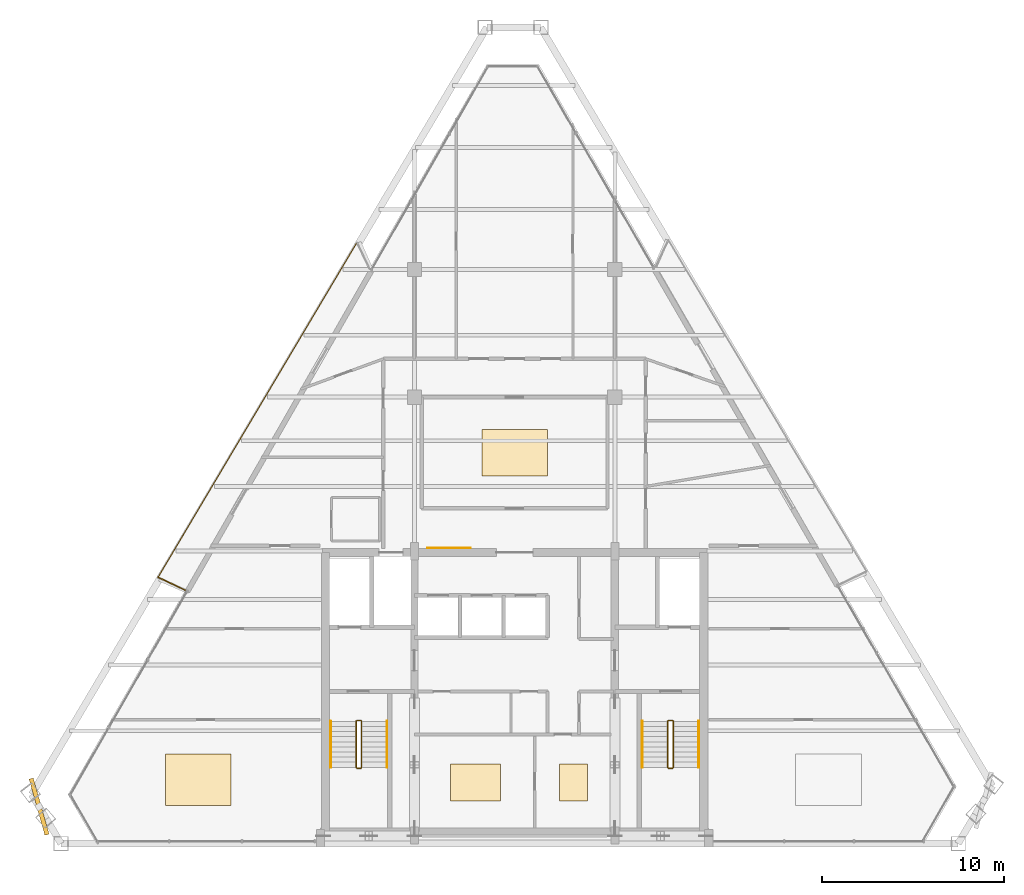
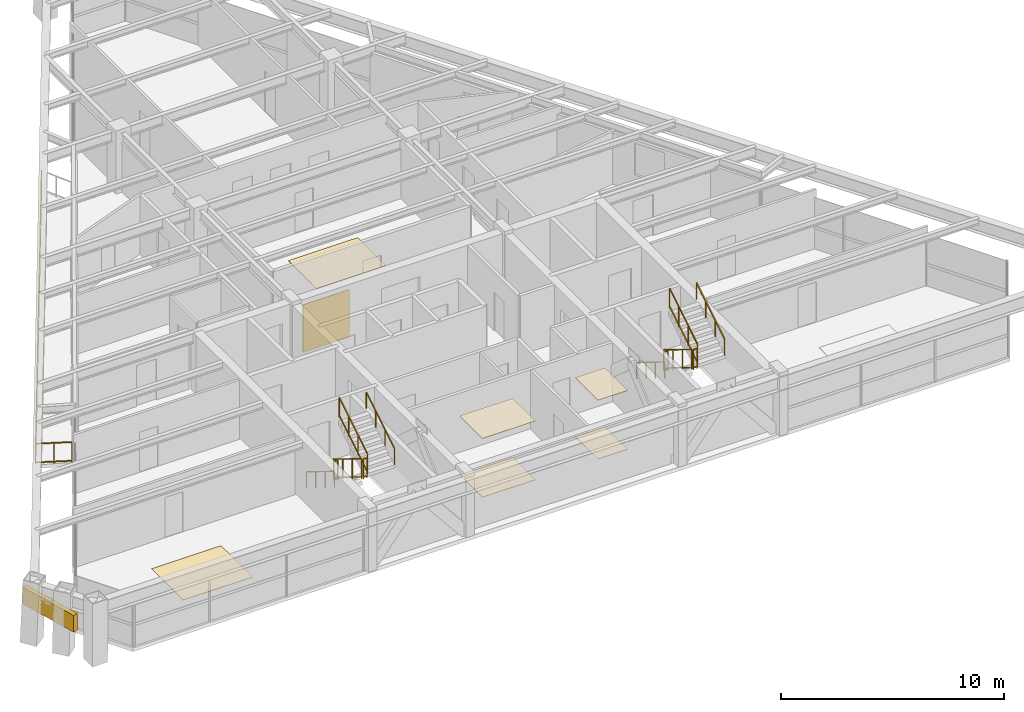
# One storey, part 12 of 13: 14 railings, 7 coverings, 1 shading device.
"""IFC4 building model written with IfcOpenShell, lengths in metres."""

from ifc_helpers import new_model, si_unit, direction, frame, origin, origin_2d, place, context, subcontext, project, spatial, rectangle, extrude, source, transform, mapped, material, layer, layer_set, type_object, type_shapes, element, save


model = new_model("IFC4")

# Units and contexts
model_context = context("Model", 3, precision=1e-05, world=origin(), true_north=direction((0.0, 1.0)))
body_context = subcontext(model_context, "Body", "Model", "MODEL_VIEW")
ifc_project = project(units=[si_unit("LENGTHUNIT", "METRE"), si_unit("AREAUNIT", "SQUARE_METRE"), si_unit("VOLUMEUNIT", "CUBIC_METRE"), si_unit("PLANEANGLEUNIT", "RADIAN"), si_unit("MASSUNIT", "GRAM", prefix="KILO")], contexts=[model_context])

# Site, building, storey
site_placement = place(None, origin())
site = spatial("IfcSite", under=ifc_project, at=site_placement, CompositionType="ELEMENT")
building_placement = place(site_placement, origin())
building = spatial("IfcBuilding", under=site, at=building_placement, Name="Varnakhor Terracotta Tower", CompositionType="ELEMENT")
storey_placement = place(building_placement, frame((0.0, 0.0, 293.699951171875)))
storey = spatial("IfcBuildingStorey", under=building, at=storey_placement, Name="L77", CompositionType="ELEMENT", Elevation=293.699951171875)

# Railings
ifc_material_1 = material(Name="Stainless Steel & Laminated Glass Guardrail", Category="steel")
railing_type_1 = type_object("IfcRailingType", Name="RLG-LOGGIA-GUARD-1150", PredefinedType="GUARDRAIL", material=ifc_material_1)
railing_1_placement = place(storey_placement, frame((-18.076171875, 13.906982421875, 0.0)))
element("IfcRailing", 1, at=railing_1_placement, inside=storey, type_object=railing_type_1, Name="L77 W Loggia Glass Guard 1", PredefinedType="GUARDRAIL", context=body_context, shape_type="SweptSolid", body=[
    extrude(rectangle(XDim=0.048095703125, YDim=0.048095703125, at=origin_2d()), frame((0.0, 0.0, 1.1259765625), z_axis=(-0.902616948427, 0.430444705406, 0.0), x_axis=(-0.430444705406, -0.902616948427, 0.0)), (0.0, 0.0, 1.0), 1.64990234375),
    extrude(rectangle(XDim=0.048095703125, YDim=0.048095703125, at=origin_2d()), frame((0.0, 0.0, 0.10009765625), z_axis=(-0.902616948427, 0.430444705406, 0.0), x_axis=(-0.430444705406, -0.902616948427, 0.0)), (0.0, 0.0, 1.0), 1.64990234375),
    extrude(rectangle(XDim=0.0419921875, YDim=0.0419921875, at=origin_2d()), origin(), (0.0, 0.0, 1.0), 1.101806640625),
    extrude(rectangle(XDim=0.0419921875, YDim=0.0419921875, at=origin_2d()), frame((-0.74462890625, 0.35498046875, 0.0)), (0.0, 0.0, 1.0), 1.101806640625),
    extrude(rectangle(XDim=0.0419921875, YDim=0.0419921875, at=origin_2d()), frame((-1.4892578125, 0.710205078125, 0.0)), (0.0, 0.0, 1.0), 1.101806640625),
])
railing_2_placement = place(storey_placement, frame((-19.5654296875, 14.6171875, 0.0)))
element("IfcRailing", 2, at=railing_2_placement, inside=storey, type_object=railing_type_1, Name="L77 W Loggia Glass Guard 2", PredefinedType="GUARDRAIL", context=body_context, shape_type="SweptSolid", body=[
    extrude(rectangle(XDim=0.048095703125, YDim=0.048095703125, at=origin_2d()), frame((0.0, 0.0, 1.1259765625), z_axis=(0.510696107168, 0.859761296014, 0.0), x_axis=(-0.859761296014, 0.510696107168, 0.0)), (0.0, 0.0, 1.0), 21.3642578125),
    extrude(rectangle(XDim=0.048095703125, YDim=0.048095703125, at=origin_2d()), frame((0.0, 0.0, 0.10009765625), z_axis=(0.510696107168, 0.859761296014, 0.0), x_axis=(-0.859761296014, 0.510696107168, 0.0)), (0.0, 0.0, 1.0), 21.3642578125),
    extrude(rectangle(XDim=0.0419921875, YDim=0.0419921875, at=origin_2d()), origin(), (0.0, 0.0, 1.0), 1.101806640625),
    extrude(rectangle(XDim=0.0419921875, YDim=0.0419921875, at=origin_2d()), frame((0.681884765625, 1.14794921875, 0.0)), (0.0, 0.0, 1.0), 1.101806640625),
    extrude(rectangle(XDim=0.0419921875, YDim=0.0419921875, at=origin_2d()), frame((1.36376953125, 2.2958984375, 0.0)), (0.0, 0.0, 1.0), 1.101806640625),
    extrude(rectangle(XDim=0.0419921875, YDim=0.0419921875, at=origin_2d()), frame((2.045654296875, 3.444091796875, 0.0)), (0.0, 0.0, 1.0), 1.101806640625),
    extrude(rectangle(XDim=0.0419921875, YDim=0.0419921875, at=origin_2d()), frame((2.7275390625, 4.592041015625, 0.0)), (0.0, 0.0, 1.0), 1.101806640625),
    extrude(rectangle(XDim=0.0419921875, YDim=0.0419921875, at=origin_2d()), frame((3.40966796875, 5.739990234375, 0.0)), (0.0, 0.0, 1.0), 1.101806640625),
    extrude(rectangle(XDim=0.0419921875, YDim=0.0419921875, at=origin_2d()), frame((4.091552734375, 6.88818359375, 0.0)), (0.0, 0.0, 1.0), 1.101806640625),
    extrude(rectangle(XDim=0.0419921875, YDim=0.0419921875, at=origin_2d()), frame((4.7734375, 8.0361328125, 0.0)), (0.0, 0.0, 1.0), 1.101806640625),
    extrude(rectangle(XDim=0.0419921875, YDim=0.0419921875, at=origin_2d()), frame((5.455322265625, 9.18408203125, 0.0)), (0.0, 0.0, 1.0), 1.101806640625),
    extrude(rectangle(XDim=0.0419921875, YDim=0.0419921875, at=origin_2d()), frame((6.13720703125, 10.33203125, 0.0)), (0.0, 0.0, 1.0), 1.101806640625),
    extrude(rectangle(XDim=0.0419921875, YDim=0.0419921875, at=origin_2d()), frame((6.819091796875, 11.47998046875, 0.0)), (0.0, 0.0, 1.0), 1.101806640625),
    extrude(rectangle(XDim=0.0419921875, YDim=0.0419921875, at=origin_2d()), frame((7.5009765625, 12.628173828125, 0.0)), (0.0, 0.0, 1.0), 1.101806640625),
    extrude(rectangle(XDim=0.0419921875, YDim=0.0419921875, at=origin_2d()), frame((8.18310546875, 13.776123046875, 0.0)), (0.0, 0.0, 1.0), 1.101806640625),
    extrude(rectangle(XDim=0.0419921875, YDim=0.0419921875, at=origin_2d()), frame((8.864990234375, 14.924072265625, 0.0)), (0.0, 0.0, 1.0), 1.101806640625),
    extrude(rectangle(XDim=0.0419921875, YDim=0.0419921875, at=origin_2d()), frame((9.546875, 16.072265625, 0.0)), (0.0, 0.0, 1.0), 1.101806640625),
    extrude(rectangle(XDim=0.0419921875, YDim=0.0419921875, at=origin_2d()), frame((10.228759765625, 17.22021484375, 0.0)), (0.0, 0.0, 1.0), 1.101806640625),
    extrude(rectangle(XDim=0.0419921875, YDim=0.0419921875, at=origin_2d()), frame((10.91064453125, 18.3681640625, 0.0)), (0.0, 0.0, 1.0), 1.101806640625),
])
ifc_material_2 = material(Name="Painted Steel Stairwell Guardrail", Category="steel")
railing_type_2 = type_object("IfcRailingType", Name="RLG-STAIR-GUARD-1120", PredefinedType="GUARDRAIL", material=ifc_material_2)
railing_3_placement = place(storey_placement, frame((-8.699951171875, 6.7099609375, 0.172607421875)))
element("IfcRailing", 3, at=railing_3_placement, inside=storey, type_object=railing_type_2, Name="L77 ST-1 stair guard 1", PredefinedType="GUARDRAIL", context=body_context, shape_type="SweptSolid", body=[
    extrude(rectangle(XDim=0.048095703125, YDim=0.048095703125, at=origin_2d()), frame((0.0, 0.0, 1.09619140625), z_axis=(0.0, -0.851400495292, 0.524516154772), x_axis=(1.0, 0.0, 0.0)), (0.0, 0.0, 1.0), 2.9599609375),
    extrude(rectangle(XDim=0.048095703125, YDim=0.048095703125, at=origin_2d()), frame((0.0, 0.0, 0.10009765625), z_axis=(0.0, -0.851400495292, 0.524516154772), x_axis=(1.0, 0.0, 0.0)), (0.0, 0.0, 1.0), 2.9599609375),
    extrude(rectangle(XDim=0.0419921875, YDim=0.0419921875, at=origin_2d()), origin(), (0.0, 0.0, 1.0), 1.072021484375),
    extrude(rectangle(XDim=0.0419921875, YDim=0.0419921875, at=origin_2d()), frame((0.0, -0.840087890625, 0.517578125)), (0.0, 0.0, 1.0), 1.072021484375),
    extrude(rectangle(XDim=0.0419921875, YDim=0.0419921875, at=origin_2d()), frame((0.0, -1.679931640625, 1.034912109375)), (0.0, 0.0, 1.0), 1.072021484375),
    extrude(rectangle(XDim=0.0419921875, YDim=0.0419921875, at=origin_2d()), frame((0.0, -2.52001953125, 1.552490234375)), (0.0, 0.0, 1.0), 1.072021484375),
])
railing_4_placement = place(storey_placement, frame((-8.64990234375, 4.139892578125, 1.72509765625)))
element("IfcRailing", 4, at=railing_4_placement, inside=storey, type_object=railing_type_2, Name="L77 ST-1 stair guard 2", PredefinedType="GUARDRAIL", context=body_context, shape_type="SweptSolid", body=[
    extrude(rectangle(XDim=0.048095703125, YDim=0.048095703125, at=origin_2d()), frame((0.0, 0.0, 1.09619140625), z_axis=(1.0, 0.0, 0.0), x_axis=(0.0, 1.0, 0.0)), (0.0, 0.0, 1.0), 0.199951171875),
    extrude(rectangle(XDim=0.048095703125, YDim=0.048095703125, at=origin_2d()), frame((0.0, 0.0, 0.10009765625), z_axis=(1.0, 0.0, 0.0), x_axis=(0.0, 1.0, 0.0)), (0.0, 0.0, 1.0), 0.199951171875),
    extrude(rectangle(XDim=0.0419921875, YDim=0.0419921875, at=origin_2d()), origin(), (0.0, 0.0, 1.0), 1.072021484375),
    extrude(rectangle(XDim=0.0419921875, YDim=0.0419921875, at=origin_2d()), frame((0.199951171875, 0.0, 0.0)), (0.0, 0.0, 1.0), 1.072021484375),
])
railing_5_placement = place(storey_placement, frame((-8.39990234375, 4.18994140625, 1.8974609375)))
element("IfcRailing", 5, at=railing_5_placement, inside=storey, type_object=railing_type_2, Name="L77 ST-1 stair guard 3", PredefinedType="GUARDRAIL", context=body_context, shape_type="SweptSolid", body=[
    extrude(rectangle(XDim=0.048095703125, YDim=0.048095703125, at=origin_2d()), frame((0.0, 0.0, 1.09619140625), z_axis=(0.0, 0.851400495292, 0.524516154772), x_axis=(-1.0, 0.0, 0.0)), (0.0, 0.0, 1.0), 2.9599609375),
    extrude(rectangle(XDim=0.048095703125, YDim=0.048095703125, at=origin_2d()), frame((0.0, 0.0, 0.10009765625), z_axis=(0.0, 0.851400495292, 0.524516154772), x_axis=(-1.0, 0.0, 0.0)), (0.0, 0.0, 1.0), 2.9599609375),
    extrude(rectangle(XDim=0.0419921875, YDim=0.0419921875, at=origin_2d()), origin(), (0.0, 0.0, 1.0), 1.072021484375),
    extrude(rectangle(XDim=0.0419921875, YDim=0.0419921875, at=origin_2d()), frame((0.0, 0.840087890625, 0.517578125)), (0.0, 0.0, 1.0), 1.072021484375),
    extrude(rectangle(XDim=0.0419921875, YDim=0.0419921875, at=origin_2d()), frame((0.0, 1.679931640625, 1.034912109375)), (0.0, 0.0, 1.0), 1.072021484375),
    extrude(rectangle(XDim=0.0419921875, YDim=0.0419921875, at=origin_2d()), frame((0.0, 2.52001953125, 1.552490234375)), (0.0, 0.0, 1.0), 1.072021484375),
])
railing_6_placement = place(storey_placement, frame((-8.64990234375, 6.760009765625, 0.0)))
element("IfcRailing", 6, at=railing_6_placement, inside=storey, type_object=railing_type_2, Name="L77 ST-1 stair guard 4", PredefinedType="GUARDRAIL", context=body_context, shape_type="SweptSolid", body=[
    extrude(rectangle(XDim=0.048095703125, YDim=0.048095703125, at=origin_2d()), frame((0.0, 0.0, 1.09619140625), z_axis=(1.0, 0.0, 0.0), x_axis=(0.0, 1.0, 0.0)), (0.0, 0.0, 1.0), 0.199951171875),
    extrude(rectangle(XDim=0.048095703125, YDim=0.048095703125, at=origin_2d()), frame((0.0, 0.0, 0.10009765625), z_axis=(1.0, 0.0, 0.0), x_axis=(0.0, 1.0, 0.0)), (0.0, 0.0, 1.0), 0.199951171875),
    extrude(rectangle(XDim=0.0419921875, YDim=0.0419921875, at=origin_2d()), origin(), (0.0, 0.0, 1.0), 1.072021484375),
    extrude(rectangle(XDim=0.0419921875, YDim=0.0419921875, at=origin_2d()), frame((0.199951171875, 0.0, 0.0)), (0.0, 0.0, 1.0), 1.072021484375),
])
railing_7_placement = place(storey_placement, frame((8.39990234375, 6.7099609375, 0.172607421875)))
element("IfcRailing", 7, at=railing_7_placement, inside=storey, type_object=railing_type_2, Name="L77 ST-2 stair guard 1", PredefinedType="GUARDRAIL", context=body_context, shape_type="SweptSolid", body=[
    extrude(rectangle(XDim=0.048095703125, YDim=0.048095703125, at=origin_2d()), frame((0.0, 0.0, 1.09619140625), z_axis=(0.0, -0.851400495292, 0.524516154772), x_axis=(1.0, 0.0, 0.0)), (0.0, 0.0, 1.0), 2.9599609375),
    extrude(rectangle(XDim=0.048095703125, YDim=0.048095703125, at=origin_2d()), frame((0.0, 0.0, 0.10009765625), z_axis=(0.0, -0.851400495292, 0.524516154772), x_axis=(1.0, 0.0, 0.0)), (0.0, 0.0, 1.0), 2.9599609375),
    extrude(rectangle(XDim=0.0419921875, YDim=0.0419921875, at=origin_2d()), origin(), (0.0, 0.0, 1.0), 1.072021484375),
    extrude(rectangle(XDim=0.0419921875, YDim=0.0419921875, at=origin_2d()), frame((0.0, -0.840087890625, 0.517578125)), (0.0, 0.0, 1.0), 1.072021484375),
    extrude(rectangle(XDim=0.0419921875, YDim=0.0419921875, at=origin_2d()), frame((0.0, -1.679931640625, 1.034912109375)), (0.0, 0.0, 1.0), 1.072021484375),
    extrude(rectangle(XDim=0.0419921875, YDim=0.0419921875, at=origin_2d()), frame((0.0, -2.52001953125, 1.552490234375)), (0.0, 0.0, 1.0), 1.072021484375),
])
railing_8_placement = place(storey_placement, frame((8.449951171875, 4.139892578125, 1.72509765625)))
element("IfcRailing", 8, at=railing_8_placement, inside=storey, type_object=railing_type_2, Name="L77 ST-2 stair guard 2", PredefinedType="GUARDRAIL", context=body_context, shape_type="SweptSolid", body=[
    extrude(rectangle(XDim=0.048095703125, YDim=0.048095703125, at=origin_2d()), frame((0.0, 0.0, 1.09619140625), z_axis=(1.0, 0.0, 0.0), x_axis=(0.0, 1.0, 0.0)), (0.0, 0.0, 1.0), 0.199951171875),
    extrude(rectangle(XDim=0.048095703125, YDim=0.048095703125, at=origin_2d()), frame((0.0, 0.0, 0.10009765625), z_axis=(1.0, 0.0, 0.0), x_axis=(0.0, 1.0, 0.0)), (0.0, 0.0, 1.0), 0.199951171875),
    extrude(rectangle(XDim=0.0419921875, YDim=0.0419921875, at=origin_2d()), origin(), (0.0, 0.0, 1.0), 1.072021484375),
    extrude(rectangle(XDim=0.0419921875, YDim=0.0419921875, at=origin_2d()), frame((0.199951171875, 0.0, 0.0)), (0.0, 0.0, 1.0), 1.072021484375),
])
railing_9_placement = place(storey_placement, frame((8.699951171875, 4.18994140625, 1.8974609375)))
element("IfcRailing", 9, at=railing_9_placement, inside=storey, type_object=railing_type_2, Name="L77 ST-2 stair guard 3", PredefinedType="GUARDRAIL", context=body_context, shape_type="SweptSolid", body=[
    extrude(rectangle(XDim=0.048095703125, YDim=0.048095703125, at=origin_2d()), frame((0.0, 0.0, 1.09619140625), z_axis=(0.0, 0.851400495292, 0.524516154772), x_axis=(-1.0, 0.0, 0.0)), (0.0, 0.0, 1.0), 2.9599609375),
    extrude(rectangle(XDim=0.048095703125, YDim=0.048095703125, at=origin_2d()), frame((0.0, 0.0, 0.10009765625), z_axis=(0.0, 0.851400495292, 0.524516154772), x_axis=(-1.0, 0.0, 0.0)), (0.0, 0.0, 1.0), 2.9599609375),
    extrude(rectangle(XDim=0.0419921875, YDim=0.0419921875, at=origin_2d()), origin(), (0.0, 0.0, 1.0), 1.072021484375),
    extrude(rectangle(XDim=0.0419921875, YDim=0.0419921875, at=origin_2d()), frame((0.0, 0.840087890625, 0.517578125)), (0.0, 0.0, 1.0), 1.072021484375),
    extrude(rectangle(XDim=0.0419921875, YDim=0.0419921875, at=origin_2d()), frame((0.0, 1.679931640625, 1.034912109375)), (0.0, 0.0, 1.0), 1.072021484375),
    extrude(rectangle(XDim=0.0419921875, YDim=0.0419921875, at=origin_2d()), frame((0.0, 2.52001953125, 1.552490234375)), (0.0, 0.0, 1.0), 1.072021484375),
])
railing_10_placement = place(storey_placement, frame((8.449951171875, 6.760009765625, 0.0)))
element("IfcRailing", 10, at=railing_10_placement, inside=storey, type_object=railing_type_2, Name="L77 ST-2 stair guard 4", PredefinedType="GUARDRAIL", context=body_context, shape_type="SweptSolid", body=[
    extrude(rectangle(XDim=0.048095703125, YDim=0.048095703125, at=origin_2d()), frame((0.0, 0.0, 1.09619140625), z_axis=(1.0, 0.0, 0.0), x_axis=(0.0, 1.0, 0.0)), (0.0, 0.0, 1.0), 0.199951171875),
    extrude(rectangle(XDim=0.048095703125, YDim=0.048095703125, at=origin_2d()), frame((0.0, 0.0, 0.10009765625), z_axis=(1.0, 0.0, 0.0), x_axis=(0.0, 1.0, 0.0)), (0.0, 0.0, 1.0), 0.199951171875),
    extrude(rectangle(XDim=0.0419921875, YDim=0.0419921875, at=origin_2d()), origin(), (0.0, 0.0, 1.0), 1.072021484375),
    extrude(rectangle(XDim=0.0419921875, YDim=0.0419921875, at=origin_2d()), frame((0.199951171875, 0.0, 0.0)), (0.0, 0.0, 1.0), 1.072021484375),
])
ifc_material_3 = material(Name="Brushed Stainless Steel Handrail", Category="steel")
railing_type_3 = type_object("IfcRailingType", Name="RLG-STAIR-HANDRAIL-920", PredefinedType="HANDRAIL", material=ifc_material_3)
railing_11_placement = place(storey_placement, frame((-10.10009765625, 6.7099609375, 0.172607421875)))
element("IfcRailing", 11, at=railing_11_placement, inside=storey, type_object=railing_type_3, Name="L77 ST-1 stair handrail 1", PredefinedType="HANDRAIL", context=body_context, shape_type="SweptSolid", body=[
    extrude(rectangle(XDim=0.048095703125, YDim=0.048095703125, at=origin_2d()), frame((0.0, 0.0, 0.89599609375), z_axis=(0.0, -0.851400495292, 0.524516154772), x_axis=(1.0, 0.0, 0.0)), (0.0, 0.0, 1.0), 2.9599609375),
    extrude(rectangle(XDim=0.0419921875, YDim=0.0419921875, at=origin_2d()), origin(), (0.0, 0.0, 1.0), 0.871826171875),
    extrude(rectangle(XDim=0.0419921875, YDim=0.0419921875, at=origin_2d()), frame((0.0, -0.840087890625, 0.517578125)), (0.0, 0.0, 1.0), 0.871826171875),
    extrude(rectangle(XDim=0.0419921875, YDim=0.0419921875, at=origin_2d()), frame((0.0, -1.679931640625, 1.034912109375)), (0.0, 0.0, 1.0), 0.871826171875),
    extrude(rectangle(XDim=0.0419921875, YDim=0.0419921875, at=origin_2d()), frame((0.0, -2.52001953125, 1.552490234375)), (0.0, 0.0, 1.0), 0.871826171875),
])
railing_12_placement = place(storey_placement, frame((-7.0, 4.18994140625, 1.8974609375)))
element("IfcRailing", 12, at=railing_12_placement, inside=storey, type_object=railing_type_3, Name="L77 ST-1 stair handrail 2", PredefinedType="HANDRAIL", context=body_context, shape_type="SweptSolid", body=[
    extrude(rectangle(XDim=0.048095703125, YDim=0.048095703125, at=origin_2d()), frame((0.0, 0.0, 0.89599609375), z_axis=(0.0, 0.851400495292, 0.524516154772), x_axis=(-1.0, 0.0, 0.0)), (0.0, 0.0, 1.0), 2.9599609375),
    extrude(rectangle(XDim=0.0419921875, YDim=0.0419921875, at=origin_2d()), origin(), (0.0, 0.0, 1.0), 0.871826171875),
    extrude(rectangle(XDim=0.0419921875, YDim=0.0419921875, at=origin_2d()), frame((0.0, 0.840087890625, 0.517578125)), (0.0, 0.0, 1.0), 0.871826171875),
    extrude(rectangle(XDim=0.0419921875, YDim=0.0419921875, at=origin_2d()), frame((0.0, 1.679931640625, 1.034912109375)), (0.0, 0.0, 1.0), 0.871826171875),
    extrude(rectangle(XDim=0.0419921875, YDim=0.0419921875, at=origin_2d()), frame((0.0, 2.52001953125, 1.552490234375)), (0.0, 0.0, 1.0), 0.871826171875),
])
railing_13_placement = place(storey_placement, frame((7.0, 6.7099609375, 0.172607421875)))
element("IfcRailing", 13, at=railing_13_placement, inside=storey, type_object=railing_type_3, Name="L77 ST-2 stair handrail 1", PredefinedType="HANDRAIL", context=body_context, shape_type="SweptSolid", body=[
    extrude(rectangle(XDim=0.048095703125, YDim=0.048095703125, at=origin_2d()), frame((0.0, 0.0, 0.89599609375), z_axis=(0.0, -0.851400495292, 0.524516154772), x_axis=(1.0, 0.0, 0.0)), (0.0, 0.0, 1.0), 2.9599609375),
    extrude(rectangle(XDim=0.0419921875, YDim=0.0419921875, at=origin_2d()), origin(), (0.0, 0.0, 1.0), 0.871826171875),
    extrude(rectangle(XDim=0.0419921875, YDim=0.0419921875, at=origin_2d()), frame((0.0, -0.840087890625, 0.517578125)), (0.0, 0.0, 1.0), 0.871826171875),
    extrude(rectangle(XDim=0.0419921875, YDim=0.0419921875, at=origin_2d()), frame((0.0, -1.679931640625, 1.034912109375)), (0.0, 0.0, 1.0), 0.871826171875),
    extrude(rectangle(XDim=0.0419921875, YDim=0.0419921875, at=origin_2d()), frame((0.0, -2.52001953125, 1.552490234375)), (0.0, 0.0, 1.0), 0.871826171875),
])
railing_14_placement = place(storey_placement, frame((10.10009765625, 4.18994140625, 1.8974609375)))
element("IfcRailing", 14, at=railing_14_placement, inside=storey, type_object=railing_type_3, Name="L77 ST-2 stair handrail 2", PredefinedType="HANDRAIL", context=body_context, shape_type="SweptSolid", body=[
    extrude(rectangle(XDim=0.048095703125, YDim=0.048095703125, at=origin_2d()), frame((0.0, 0.0, 0.89599609375), z_axis=(0.0, 0.851400495292, 0.524516154772), x_axis=(-1.0, 0.0, 0.0)), (0.0, 0.0, 1.0), 2.9599609375),
    extrude(rectangle(XDim=0.0419921875, YDim=0.0419921875, at=origin_2d()), origin(), (0.0, 0.0, 1.0), 0.871826171875),
    extrude(rectangle(XDim=0.0419921875, YDim=0.0419921875, at=origin_2d()), frame((0.0, 0.840087890625, 0.517578125)), (0.0, 0.0, 1.0), 0.871826171875),
    extrude(rectangle(XDim=0.0419921875, YDim=0.0419921875, at=origin_2d()), frame((0.0, 1.679931640625, 1.034912109375)), (0.0, 0.0, 1.0), 0.871826171875),
    extrude(rectangle(XDim=0.0419921875, YDim=0.0419921875, at=origin_2d()), frame((0.0, 2.52001953125, 1.552490234375)), (0.0, 0.0, 1.0), 0.871826171875),
])

# Shading device
ifc_material_4 = material(Name="Extruded Architectural Terracotta Screen", Category="masonry")
shading_device_type = type_object("IfcShadingDeviceType", Name="TERRACOTTA SOLAR SCREEN W", PredefinedType="USERDEFINED", material=ifc_material_4)
shared_shape_1 = source(origin(), body_context, "Body", "SweptSolid", [
    extrude(rectangle(XDim=3.199951171875, YDim=0.239990234375, at=origin_2d()), origin(), (0.0, 0.0, 1.0), 0.919921875),
])
type_shapes(shading_device_type, [shared_shape_1])
shading_device_placement = place(storey_placement, frame((-26.09521484375, 2.027587890625, 1.56201171875), z_axis=(0.0, 0.0, 1.0), x_axis=(0.271910761791, -0.962322470704, 0.0)))
element("IfcShadingDevice", 15, at=shading_device_placement, inside=storey, type_object=shading_device_type, Name="L77 W Terracotta Solar Screen", ObjectType="SCREEN", PredefinedType="USERDEFINED", context=body_context, shape_type="MappedRepresentation", body=[
    mapped(shared_shape_1, transform((0.0, 0.0, 0.0), scale=1.0)),
])

# Coverings
ifc_material_5 = material(Name="Extruded Architectural Terracotta Cladding", Category="masonry")
ifc_layer_1 = layer(ifc_material_5, 0.044921875, Name="Extruded Architectural Terracotta Cladding")
ifc_layer_set_1 = layer_set([ifc_layer_1], Name="Extruded Architectural Terracotta Cladding")
covering_type_1 = type_object("IfcCoveringType", Name="COV-CLAD-TERRACOTTA", PredefinedType="CLADDING", material=ifc_layer_set_1)
shared_shape_2 = source(origin(), body_context, "Body", "SweptSolid", [
    extrude(rectangle(XDim=2.39990234375, YDim=0.030029296875, at=origin_2d()), origin(), (0.0, 0.0, 1.0), 2.60009765625),
])
type_shapes(covering_type_1, [shared_shape_2])
covering_1_placement = place(storey_placement, frame((-3.60009765625, 16.2119140625, 0.0), z_axis=(0.0, 0.0, 1.0), x_axis=(1.0, 0.0, 0.0)))
element("IfcCovering", 16, at=covering_1_placement, inside=storey, type_object=covering_type_1, Name="L77 Core Lobby Limestone Cladding", PredefinedType="CLADDING", context=body_context, shape_type="MappedRepresentation", body=[
    mapped(shared_shape_2, transform((0.0, 0.0, 0.0), scale=1.0)),
])
ifc_material_6 = material(Name="Honed Riyadh Limestone Flooring", Category="masonry")
ifc_layer_2 = layer(ifc_material_6, 0.030029296875, Name="Honed Riyadh Limestone Flooring")
ifc_layer_set_2 = layer_set([ifc_layer_2], Name="Honed Riyadh Limestone Flooring")
covering_type_2 = type_object("IfcCoveringType", Name="COV-FLOOR-LIMESTONE", PredefinedType="FLOORING", material=ifc_layer_set_2)
shared_shape_3 = source(origin(), body_context, "Body", "SweptSolid", [
    extrude(rectangle(XDim=2.75, YDim=2.041015625, at=origin_2d()), origin(), (0.0, 0.0, 1.0), 0.02001953125),
])
covering_2_placement = place(storey_placement, frame((-2.139892578125, 3.35498046875, 0.0), z_axis=(0.0, 0.0, 1.0), x_axis=(1.0, 0.0, 0.0)))
element("IfcCovering", 17, at=covering_2_placement, inside=storey, type_object=covering_type_2, Name="L77 Honed Stone Flooring 1", PredefinedType="FLOORING", context=body_context, shape_type="MappedRepresentation", body=[
    mapped(shared_shape_3, transform((0.0, 0.0, 0.0), scale=1.0)),
])
ifc_material_7 = material(Name="Perforated Acoustic Mineral-Fibre Ceiling", Category="gypsum")
ifc_layer_3 = layer(ifc_material_7, 0.02490234375, Name="Perforated Acoustic Mineral-Fibre Ceiling")
ifc_layer_set_3 = layer_set([ifc_layer_3], Name="Perforated Acoustic Mineral-Fibre Ceiling")
covering_type_3 = type_object("IfcCoveringType", Name="COV-CEILING-ACOUSTIC", PredefinedType="CEILING", material=ifc_layer_set_3)
shared_shape_4 = source(origin(), body_context, "Body", "SweptSolid", [
    extrude(rectangle(XDim=2.75, YDim=2.041015625, at=origin_2d()), origin(), (0.0, 0.0, 1.0), 0.02392578125),
])
covering_3_placement = place(storey_placement, frame((-2.139892578125, 3.35498046875, 3.216064453125), z_axis=(0.0, 0.0, 1.0), x_axis=(1.0, 0.0, 0.0)))
element("IfcCovering", 18, at=covering_3_placement, inside=storey, type_object=covering_type_3, Name="L77 Acoustic Ceiling Panel 1", PredefinedType="CEILING", context=body_context, shape_type="MappedRepresentation", body=[
    mapped(shared_shape_4, transform((0.0, 0.0, 0.0), scale=1.0)),
])
shared_shape_5 = source(origin(), body_context, "Body", "SweptSolid", [
    extrude(rectangle(XDim=1.5400390625, YDim=2.041015625, at=origin_2d()), origin(), (0.0, 0.0, 1.0), 0.02001953125),
])
covering_4_placement = place(storey_placement, frame((3.239990234375, 3.35498046875, 0.0), z_axis=(0.0, 0.0, 1.0), x_axis=(1.0, 0.0, 0.0)))
element("IfcCovering", 19, at=covering_4_placement, inside=storey, type_object=covering_type_2, Name="L77 Honed Stone Flooring 2", PredefinedType="FLOORING", context=body_context, shape_type="MappedRepresentation", body=[
    mapped(shared_shape_5, transform((0.0, 0.0, 0.0), scale=1.0)),
])
shared_shape_6 = source(origin(), body_context, "Body", "SweptSolid", [
    extrude(rectangle(XDim=1.5400390625, YDim=2.041015625, at=origin_2d()), origin(), (0.0, 0.0, 1.0), 0.02392578125),
])
covering_5_placement = place(storey_placement, frame((3.239990234375, 3.35498046875, 3.216064453125), z_axis=(0.0, 0.0, 1.0), x_axis=(1.0, 0.0, 0.0)))
element("IfcCovering", 20, at=covering_5_placement, inside=storey, type_object=covering_type_3, Name="L77 Acoustic Ceiling Panel 2", PredefinedType="CEILING", context=body_context, shape_type="MappedRepresentation", body=[
    mapped(shared_shape_6, transform((0.0, 0.0, 0.0), scale=1.0)),
])
shared_shape_7 = source(origin(), body_context, "Body", "SweptSolid", [
    extrude(rectangle(XDim=3.60009765625, YDim=2.83203125, at=origin_2d()), origin(), (0.0, 0.0, 1.0), 0.02001953125),
])
covering_6_placement = place(storey_placement, frame((-17.35498046875, 3.50390625, 0.0), z_axis=(0.0, 0.0, 1.0), x_axis=(1.0, 0.0, 0.0)))
element("IfcCovering", 21, at=covering_6_placement, inside=storey, type_object=covering_type_2, Name="L77 Honed Stone Flooring 4", PredefinedType="FLOORING", context=body_context, shape_type="MappedRepresentation", body=[
    mapped(shared_shape_7, transform((0.0, 0.0, 0.0), scale=1.0)),
])
shared_shape_8 = source(origin(), body_context, "Body", "SweptSolid", [
    extrude(rectangle(XDim=3.60009765625, YDim=2.531982421875, at=origin_2d()), origin(), (0.0, 0.0, 1.0), 0.02001953125),
])
covering_7_placement = place(storey_placement, frame((0.0, 21.449951171875, 0.0), z_axis=(0.0, 0.0, 1.0), x_axis=(1.0, 0.0, 0.0)))
element("IfcCovering", 22, at=covering_7_placement, inside=storey, type_object=covering_type_2, Name="L77 Honed Stone Flooring 5", PredefinedType="FLOORING", context=body_context, shape_type="MappedRepresentation", body=[
    mapped(shared_shape_8, transform((0.0, 0.0, 0.0), scale=1.0)),
])

save(model, "model.ifc")
